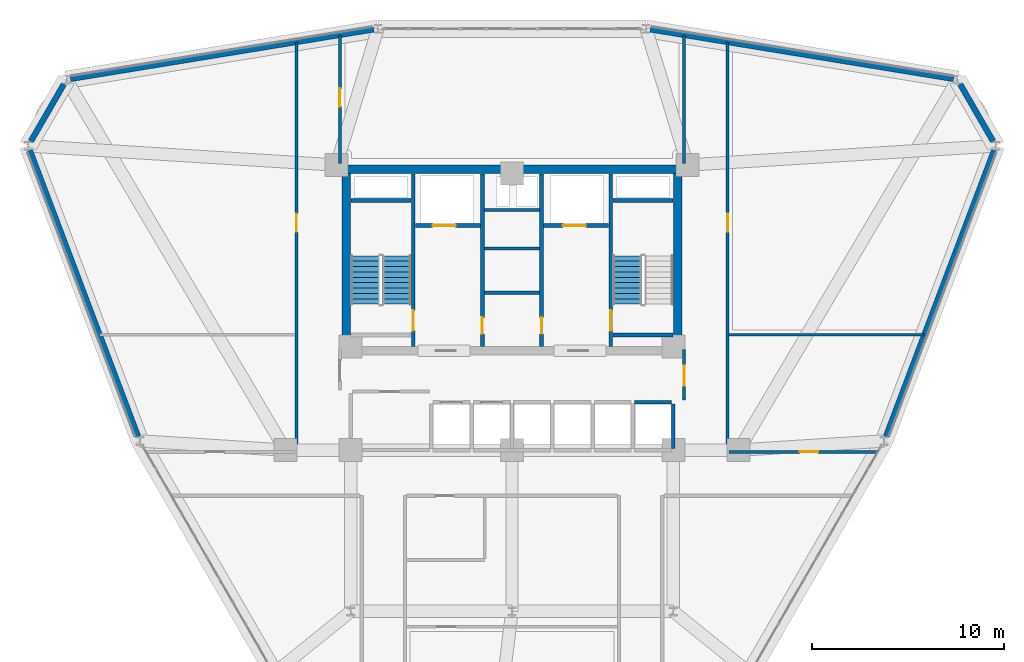
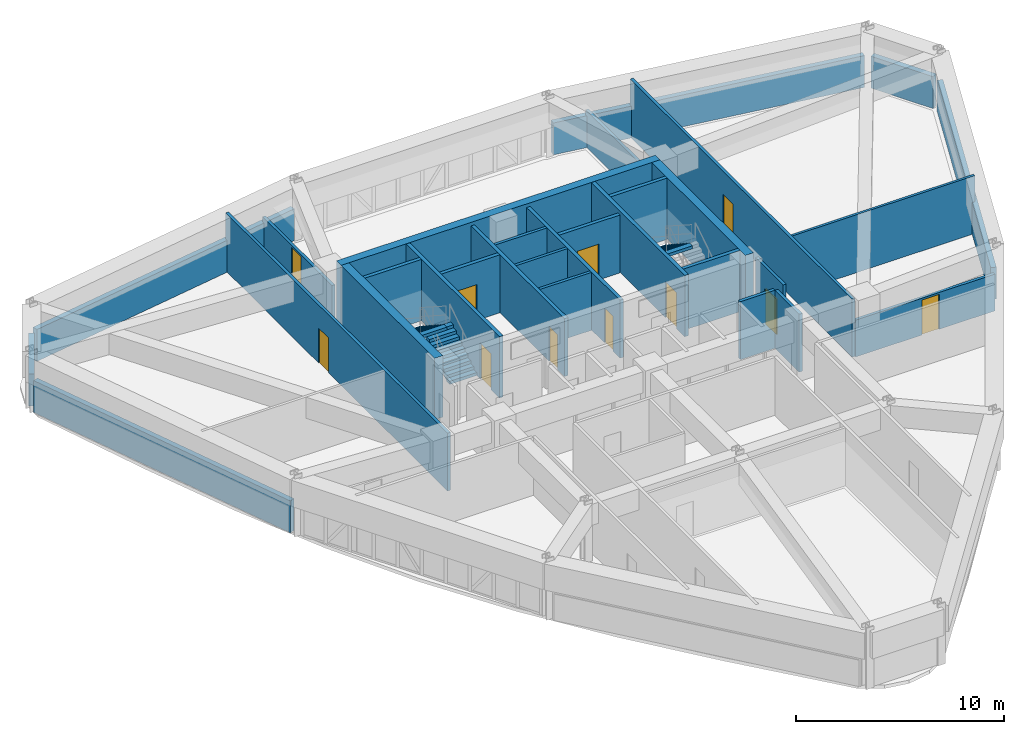
# One storey, part 11 of 15: 30 walls, 11 doors, 3 stair flights, 11 openings, 2 elements without a shape of their own.
"""IFC4 building model written with IfcOpenShell, lengths in metres."""

from ifc_helpers import new_model, si_unit, derived_unit, direction, frame, frame_2d, origin, place, context, subcontext, project, spatial, polyline, rectangle, outline, extrude, material, layer, layer_set, type_object, element, fill, aggregate, save


model = new_model("IFC4")

# Units and contexts
model_context = context("Model", 3, precision=1e-05, world=origin(), true_north=direction((0.0, 1.0)))
body_context = subcontext(model_context, "Body", "Model", "MODEL_VIEW")
ifc_project = project(units=[si_unit("LENGTHUNIT", "METRE"), si_unit("AREAUNIT", "SQUARE_METRE"), si_unit("VOLUMEUNIT", "CUBIC_METRE"), si_unit("PLANEANGLEUNIT", "RADIAN"), si_unit("MASSUNIT", "GRAM", prefix="KILO"), derived_unit("THERMALTRANSMITTANCEUNIT", [(si_unit("POWERUNIT", "WATT"), 1), (si_unit("LENGTHUNIT", "METRE"), -2), (si_unit("THERMODYNAMICTEMPERATUREUNIT", "KELVIN"), -1)])], contexts=[model_context])

# Site, building, storey
site_placement = place(None, origin())
site = spatial("IfcSite", under=ifc_project, at=site_placement, CompositionType="ELEMENT")
building_placement = place(site_placement, origin())
building = spatial("IfcBuilding", under=site, at=building_placement, Name="Korsvarv Bourse and Concert Hall", CompositionType="ELEMENT")
storey_placement = place(building_placement, frame((0.0, 0.0, 113.39990234375)))
storey = spatial("IfcBuildingStorey", under=building, at=storey_placement, Name="L28", CompositionType="ELEMENT", Elevation=113.39990234375)

# Wall, opening, door
ifc_material_1 = material(Name="Concrete C50/60", Category="concrete")
ifc_layer_1 = layer(ifc_material_1, 0.3798828125)
ifc_layer_set_1 = layer_set([ifc_layer_1], Name="Concrete C50/60")
wall_type_1 = type_object("IfcWallType", Name="WL-CORE-380", PredefinedType="SHEAR", material=ifc_layer_set_1)
wall_1_placement = place(storey_placement, frame((30.860107421875, 37.81005859375, 0.0), z_axis=(0.0, 0.0, 1.0), x_axis=(0.0, 1.0, 0.0)))
wall_1 = element("IfcWall", 1, at=wall_1_placement, inside=storey, type_object=wall_type_1, Name="L28 stair shaft structural wall W-L28-ST1-E", PredefinedType="SHEAR", context=body_context, shape_type="SweptSolid", body=[
    extrude(rectangle(XDim=8.97998046875, YDim=0.199951171875, at=frame_2d((4.489990234375, 0.0))), origin(), (0.0, 0.0, 1.0), 3.60009765625),
])
opening_1_placement = place(wall_1_placement, frame((0.820068359375, 0.0, 0.0)))
opening_1 = element("IfcOpeningElement", 2, at=opening_1_placement, cuts=wall_1, Name="Opening D-01", PredefinedType="OPENING", context=body_context, shape_type="SweptSolid", body=[
    extrude(rectangle(XDim=1.050048828125, YDim=2.10009765625, at=frame_2d((0.52490234375, 1.050048828125))), frame((0.0, 0.10986328125, 0.0), z_axis=(0.0, -1.0, 0.0), x_axis=(1.0, 0.0, 0.0)), (0.0, 0.0, 1.0), 0.219970703125),
])
ifc_material_2 = material(Name="Steel S355 fire door", Category="steel")
door_type_1 = type_object("IfcDoorType", Name="DR-FD60", OperationType="NOTDEFINED", PredefinedType="DOOR", material=ifc_material_2)
door_1_placement = place(opening_1_placement, origin())
door_1 = element("IfcDoor", 3, at=door_1_placement, inside=storey, type_object=door_type_1, Name="L28 interior door DR-L28-ST1", OperationType="SINGLE_SWING_RIGHT", OverallHeight=2.10009765625, OverallWidth=1.050048828125, PredefinedType="DOOR", context=body_context, shape_type="SweptSolid", body=[
    extrude(rectangle(XDim=1.050048828125, YDim=2.10009765625, at=frame_2d((0.52490234375, 1.050048828125))), frame((0.0, 0.02490234375, 0.0), z_axis=(0.0, -1.0, 0.0), x_axis=(1.0, 0.0, 0.0)), (0.0, 0.0, 1.0), 0.050048828125),
])
fill(opening_1, door_1)

# Wall
wall_2_placement = place(storey_placement, frame((27.610107421875, 45.39990234375, 0.0), z_axis=(0.0, 0.0, 1.0), x_axis=(1.0, 0.0, 0.0)))
element("IfcWall", 4, at=wall_2_placement, inside=storey, type_object=wall_type_1, Name="L28 stair shaft structural wall W-L28-ST1-N", PredefinedType="SHEAR", context=body_context, shape_type="SweptSolid", body=[
    extrude(rectangle(XDim=3.139892578125, YDim=0.199951171875, at=frame_2d((1.56982421875, 0.0))), origin(), (0.0, 0.0, 1.0), 3.60009765625),
])

# Wall, opening, door
wall_3_placement = place(storey_placement, frame((41.139892578125, 37.81005859375, 0.0), z_axis=(0.0, 0.0, 1.0), x_axis=(0.0, 1.0, 0.0)))
wall_3 = element("IfcWall", 5, at=wall_3_placement, inside=storey, type_object=wall_type_1, Name="L28 stair shaft structural wall W-L28-ST2-W", PredefinedType="SHEAR", context=body_context, shape_type="SweptSolid", body=[
    extrude(rectangle(XDim=8.97998046875, YDim=0.199951171875, at=frame_2d((4.489990234375, 0.0))), origin(), (0.0, 0.0, 1.0), 3.60009765625),
])
opening_2_placement = place(wall_3_placement, frame((0.820068359375, 0.0, 0.0)))
opening_2 = element("IfcOpeningElement", 6, at=opening_2_placement, cuts=wall_3, Name="Opening D-01", PredefinedType="OPENING", context=body_context, shape_type="SweptSolid", body=[
    extrude(rectangle(XDim=1.050048828125, YDim=2.10009765625, at=frame_2d((0.52490234375, 1.050048828125))), frame((0.0, 0.10986328125, 0.0), z_axis=(0.0, -1.0, 0.0), x_axis=(1.0, 0.0, 0.0)), (0.0, 0.0, 1.0), 0.219970703125),
])
door_2_placement = place(opening_2_placement, frame((1.050048828125, 0.0, 0.0), z_axis=(0.0, 0.0, 1.0), x_axis=(-1.0, 0.0, 0.0)))
door_2 = element("IfcDoor", 7, at=door_2_placement, inside=storey, type_object=door_type_1, Name="L28 interior door DR-L28-ST2", OperationType="SINGLE_SWING_LEFT", OverallHeight=2.10009765625, OverallWidth=1.050048828125, PredefinedType="DOOR", context=body_context, shape_type="SweptSolid", body=[
    extrude(rectangle(XDim=1.050048828125, YDim=2.10009765625, at=frame_2d((0.52490234375, 1.050048828125))), frame((0.0, 0.02490234375, 0.0), z_axis=(0.0, -1.0, 0.0), x_axis=(1.0, 0.0, 0.0)), (0.0, 0.0, 1.0), 0.050048828125),
])
fill(opening_2, door_2)

# Walls
for number, where, z_axis, x_axis, name in (
    (8, (41.25, 45.39990234375, 0.0), (0.0, 0.0, 1.0), (1.0, 0.0, 0.0), "L28 stair shaft structural wall W-L28-ST2-N"),
    (9, (41.25, 38.39990234375, 0.0), (0.0, 0.0, 1.0), (1.0, 0.0, 0.0), "L28 stair shaft structural wall W-L28-ST2-S"),
):
    element("IfcWall", number, at=place(storey_placement, frame(where, z_axis=z_axis, x_axis=x_axis)), inside=storey, type_object=wall_type_1, Name=name, PredefinedType="SHEAR", context=body_context, shape_type="SweptSolid", body=[
        extrude(rectangle(XDim=3.139892578125, YDim=0.199951171875, at=frame_2d((1.56982421875, 0.0))), origin(), (0.0, 0.0, 1.0), 3.60009765625),
    ])
ifc_material_3 = material(Name="Concrete C55/67", Category="concrete")
ifc_layer_2 = layer(ifc_material_3, 0.449951171875)
ifc_layer_set_2 = layer_set([ifc_layer_2], Name="Concrete C55/67")
wall_type_2 = type_object("IfcWallType", Name="WL-CORE-450", PredefinedType="SHEAR", material=ifc_layer_set_2)
wall_4_placement = place(storey_placement, frame((27.14990234375, 47.02490234375, 0.0), z_axis=(0.0, 0.0, 1.0), x_axis=(1.0, 0.0, 0.0)))
element("IfcWall", 10, at=wall_4_placement, inside=storey, type_object=wall_type_2, Name="L28 North Core Shear Wall", PredefinedType="SHEAR", context=body_context, shape_type="SweptSolid", body=[
    extrude(rectangle(XDim=17.7001953125, YDim=0.449951171875, at=frame_2d((8.85009765625, 0.0))), origin(), (0.0, 0.0, 1.0), 3.60009765625),
])
for number, where, z_axis, x_axis, name in (
    (11, (27.375, 37.800048828125, 0.0), (0.0, 0.0, 1.0), (0.0, 1.0, 0.0), "L28 West Core Shear Wall"),
    (12, (44.625, 37.800048828125, 0.0), (0.0, 0.0, 1.0), (0.0, 1.0, 0.0), "L28 East Core Shear Wall"),
):
    element("IfcWall", number, at=place(storey_placement, frame(where, z_axis=z_axis, x_axis=x_axis)), inside=storey, type_object=wall_type_2, Name=name, PredefinedType="SHEAR", context=body_context, shape_type="SweptSolid", body=[
        extrude(rectangle(XDim=9.0, YDim=0.449951171875, at=frame_2d((4.5, 0.0))), origin(), (0.0, 0.0, 1.0), 3.60009765625),
    ])
ifc_material_4 = material(Name="Precast concrete C45/55 with terracotta rainscreen", Category="concrete")
ifc_layer_3 = layer(ifc_material_4, 0.300048828125)
ifc_layer_set_3 = layer_set([ifc_layer_3], Name="Precast concrete C45/55 with terracotta rainscreen")
wall_type_3 = type_object("IfcWallType", Name="WL-EXT-TC1", PredefinedType="SOLIDWALL", material=ifc_layer_set_3)
for number, where, z_axis, x_axis, name in (
    (13, (61.060791015625, 48.48388671875, 0.0), (0.0, 0.0, 1.0), (-0.500064626416, 0.86598808849, 0.0), "L28 terracotta exterior wall EW-L28-B01"),
    (14, (12.658447265625, 51.461181640625, 0.0), (0.0, 0.0, 1.0), (-0.500064626416, -0.86598808849, 0.0), "L28 terracotta exterior wall EW-L28-B05"),
):
    element("IfcWall", number, at=place(storey_placement, frame(where, z_axis=z_axis, x_axis=x_axis)), inside=storey, type_object=wall_type_3, Name=name, PredefinedType="SOLIDWALL", context=body_context, shape_type="SweptSolid", body=[
        extrude(rectangle(XDim=3.43798828125, YDim=0.300048828125, at=frame_2d((1.718994140625, 0.0))), origin(), (0.0, 0.0, 1.0), 1.8701171875),
    ])
ifc_material_5 = material(Name="Precast concrete C45/55 with fluted terracotta pier", Category="concrete")
ifc_layer_4 = layer(ifc_material_5, 0.280029296875)
ifc_layer_set_4 = layer_set([ifc_layer_4], Name="Precast concrete C45/55 with fluted terracotta pier")
wall_type_4 = type_object("IfcWallType", Name="WL-EXT-TC2", PredefinedType="SOLIDWALL", material=ifc_layer_set_4)
for number, where, z_axis, x_axis, name in (
    (15, (58.993408203125, 51.728759765625, 0.0), (0.0, 0.0, 1.0), (-0.98690696995, 0.161290522546, 0.0), "L28 terracotta exterior wall EW-L28-B02"),
    (16, (28.798095703125, 54.3095703125, 0.0), (0.0, 0.0, 1.0), (-0.98690696995, -0.161290522546, 0.0), "L28 terracotta exterior wall EW-L28-B04"),
):
    element("IfcWall", number, at=place(storey_placement, frame(where, z_axis=z_axis, x_axis=x_axis)), inside=storey, type_object=wall_type_4, Name=name, PredefinedType="SOLIDWALL", context=body_context, shape_type="SweptSolid", body=[
        extrude(rectangle(XDim=16.0009765625, YDim=0.280029296875, at=frame_2d((8.00048828125, 0.0))), origin(), (0.0, 0.0, 1.0), 1.8701171875),
    ])
for number, where, z_axis, x_axis, name in (
    (17, (10.89306640625, 48.018798828125, 0.0), (0.0, 0.0, 1.0), (0.353771130195, -0.935332019895, 0.0), "L28 terracotta exterior wall EW-L28-B06"),
    (18, (55.46875, 33.112060546875, 0.0), (0.0, 0.0, 1.0), (0.353771130195, 0.935332019895, 0.0), "L28 terracotta exterior wall EW-L28-B12"),
):
    element("IfcWall", number, at=place(storey_placement, frame(where, z_axis=z_axis, x_axis=x_axis)), inside=storey, type_object=wall_type_4, Name=name, PredefinedType="SOLIDWALL", context=body_context, shape_type="SweptSolid", body=[
        extrude(rectangle(XDim=15.937255859375, YDim=0.280029296875, at=frame_2d((7.96875, 0.0))), origin(), (0.0, 0.0, 1.0), 1.8701171875),
    ])

# Wall, opening, door
ifc_material_6 = material(Name="Reinforced concrete blockwork C35/45 fire wall", Category="concrete")
ifc_layer_5 = layer(ifc_material_6, 0.199951171875)
ifc_layer_set_5 = layer_set([ifc_layer_5], Name="Reinforced concrete blockwork C35/45 fire wall")
wall_type_5 = type_object("IfcWallType", Name="WL-INT-EI120", PredefinedType="PARTITIONING", material=ifc_layer_set_5)
wall_5_placement = place(storey_placement, frame((30.969970703125, 44.10009765625, 0.0), z_axis=(0.0, 0.0, 1.0), x_axis=(1.0, 0.0, 0.0)))
wall_5 = element("IfcWall", 19, at=wall_5_placement, inside=storey, type_object=wall_type_5, Name="L28 interior partition wall W-L28-FF1-S", PredefinedType="PARTITIONING", context=body_context, shape_type="SweptSolid", body=[
    extrude(rectangle(XDim=3.380126953125, YDim=0.199951171875, at=frame_2d((1.68994140625, 0.0))), origin(), (0.0, 0.0, 1.0), 3.400146484375),
])
opening_3_placement = place(wall_5_placement, frame((0.89990234375, 0.0, 0.0)))
opening_3 = element("IfcOpeningElement", 20, at=opening_3_placement, cuts=wall_5, Name="Opening LD-1", PredefinedType="OPENING", context=body_context, shape_type="SweptSolid", body=[
    extrude(rectangle(XDim=1.199951171875, YDim=2.10009765625, at=frame_2d((0.60009765625, 1.050048828125))), frame((0.0, 0.10986328125, 0.0), z_axis=(0.0, -1.0, 0.0), x_axis=(1.0, 0.0, 0.0)), (0.0, 0.0, 1.0), 0.219970703125),
])
ifc_material_7 = material(Name="Stainless Steel S355 firefighting lift landing door", Category="steel")
door_type_2 = type_object("IfcDoorType", Name="DR-LIFT-FF", OperationType="DOUBLE_DOOR_SLIDING", PredefinedType="DOOR", material=ifc_material_7)
door_3_placement = place(opening_3_placement, origin())
door_3 = element("IfcDoor", 21, at=door_3_placement, inside=storey, type_object=door_type_2, Name="L28 lift sliding landing door LD-L28-FF1", OperationType="DOUBLE_DOOR_SLIDING", OverallHeight=2.10009765625, OverallWidth=1.199951171875, PredefinedType="DOOR", context=body_context, shape_type="SweptSolid", body=[
    extrude(rectangle(XDim=1.199951171875, YDim=2.10009765625, at=frame_2d((0.60009765625, 1.050048828125))), frame((0.0, 0.02490234375, 0.0), z_axis=(0.0, -1.0, 0.0), x_axis=(1.0, 0.0, 0.0)), (0.0, 0.0, 1.0), 0.050048828125),
])
fill(opening_3, door_3)

wall_6_placement = place(storey_placement, frame((37.64990234375, 44.10009765625, 0.0), z_axis=(0.0, 0.0, 1.0), x_axis=(1.0, 0.0, 0.0)))
wall_6 = element("IfcWall", 22, at=wall_6_placement, inside=storey, type_object=wall_type_5, Name="L28 interior partition wall W-L28-FF2-S", PredefinedType="PARTITIONING", context=body_context, shape_type="SweptSolid", body=[
    extrude(rectangle(XDim=3.380126953125, YDim=0.199951171875, at=frame_2d((1.68994140625, 0.0))), origin(), (0.0, 0.0, 1.0), 3.400146484375),
])
opening_4_placement = place(wall_6_placement, frame((1.0, 0.0, 0.0)))
opening_4 = element("IfcOpeningElement", 23, at=opening_4_placement, cuts=wall_6, Name="Opening LD-1", PredefinedType="OPENING", context=body_context, shape_type="SweptSolid", body=[
    extrude(rectangle(XDim=1.199951171875, YDim=2.10009765625, at=frame_2d((0.60009765625, 1.050048828125))), frame((0.0, 0.10986328125, 0.0), z_axis=(0.0, -1.0, 0.0), x_axis=(1.0, 0.0, 0.0)), (0.0, 0.0, 1.0), 0.219970703125),
])
door_4_placement = place(opening_4_placement, origin())
door_4 = element("IfcDoor", 24, at=door_4_placement, inside=storey, type_object=door_type_2, Name="L28 lift sliding landing door LD-L28-FF2", OperationType="DOUBLE_DOOR_SLIDING", OverallHeight=2.10009765625, OverallWidth=1.199951171875, PredefinedType="DOOR", context=body_context, shape_type="SweptSolid", body=[
    extrude(rectangle(XDim=1.199951171875, YDim=2.10009765625, at=frame_2d((0.60009765625, 1.050048828125))), frame((0.0, 0.02490234375, 0.0), z_axis=(0.0, -1.0, 0.0), x_axis=(1.0, 0.0, 0.0)), (0.0, 0.0, 1.0), 0.050048828125),
])
fill(opening_4, door_4)

wall_7_placement = place(storey_placement, frame((34.4599609375, 37.81005859375, 0.0), z_axis=(0.0, 0.0, 1.0), x_axis=(0.0, 1.0, 0.0)))
wall_7 = element("IfcWall", 25, at=wall_7_placement, inside=storey, type_object=wall_type_5, Name="L28 interior partition wall W-L28-CSB-W", PredefinedType="PARTITIONING", context=body_context, shape_type="SweptSolid", body=[
    extrude(rectangle(XDim=8.97998046875, YDim=0.199951171875, at=frame_2d((4.489990234375, 0.0))), origin(), (0.0, 0.0, 1.0), 3.400146484375),
])
opening_5_placement = place(wall_7_placement, frame((0.64990234375, 0.0, 0.0)))
opening_5 = element("IfcOpeningElement", 26, at=opening_5_placement, cuts=wall_7, Name="Opening D-05", PredefinedType="OPENING", context=body_context, shape_type="SweptSolid", body=[
    extrude(rectangle(XDim=0.85009765625, YDim=2.050048828125, at=frame_2d((0.425048828125, 1.02490234375))), frame((0.0, 0.10986328125, 0.0), z_axis=(0.0, -1.0, 0.0), x_axis=(1.0, 0.0, 0.0)), (0.0, 0.0, 1.0), 0.219970703125),
])
door_type_3 = type_object("IfcDoorType", Name="DR-FD60-850X2050", OperationType="NOTDEFINED", PredefinedType="DOOR", material=ifc_material_2)
door_5_placement = place(opening_5_placement, frame((0.85009765625, 0.0, 0.0), z_axis=(0.0, 0.0, 1.0), x_axis=(-1.0, 0.0, 0.0)))
door_5 = element("IfcDoor", 27, at=door_5_placement, inside=storey, type_object=door_type_3, Name="L28 interior door DR-L28-CSB1", OperationType="SINGLE_SWING_RIGHT", OverallHeight=2.050048828125, OverallWidth=0.85009765625, PredefinedType="DOOR", context=body_context, shape_type="SweptSolid", body=[
    extrude(rectangle(XDim=0.85009765625, YDim=2.050048828125, at=frame_2d((0.425048828125, 1.02490234375))), frame((0.0, 0.02490234375, 0.0), z_axis=(0.0, -1.0, 0.0), x_axis=(1.0, 0.0, 0.0)), (0.0, 0.0, 1.0), 0.050048828125),
])
fill(opening_5, door_5)

wall_8_placement = place(storey_placement, frame((37.5400390625, 37.81005859375, 0.0), z_axis=(0.0, 0.0, 1.0), x_axis=(0.0, 1.0, 0.0)))
wall_8 = element("IfcWall", 28, at=wall_8_placement, inside=storey, type_object=wall_type_5, Name="L28 interior partition wall W-L28-CSB-E", PredefinedType="PARTITIONING", context=body_context, shape_type="SweptSolid", body=[
    extrude(rectangle(XDim=8.97998046875, YDim=0.199951171875, at=frame_2d((4.489990234375, 0.0))), origin(), (0.0, 0.0, 1.0), 3.400146484375),
])
opening_6_placement = place(wall_8_placement, frame((0.64990234375, 0.0, 0.0)))
opening_6 = element("IfcOpeningElement", 29, at=opening_6_placement, cuts=wall_8, Name="Opening D-05", PredefinedType="OPENING", context=body_context, shape_type="SweptSolid", body=[
    extrude(rectangle(XDim=0.85009765625, YDim=2.050048828125, at=frame_2d((0.425048828125, 1.02490234375))), frame((0.0, 0.10986328125, 0.0), z_axis=(0.0, -1.0, 0.0), x_axis=(1.0, 0.0, 0.0)), (0.0, 0.0, 1.0), 0.219970703125),
])
door_6_placement = place(opening_6_placement, origin())
door_6 = element("IfcDoor", 30, at=door_6_placement, inside=storey, type_object=door_type_3, Name="L28 interior door DR-L28-CSB2", OperationType="SINGLE_SWING_LEFT", OverallHeight=2.050048828125, OverallWidth=0.85009765625, PredefinedType="DOOR", context=body_context, shape_type="SweptSolid", body=[
    extrude(rectangle(XDim=0.85009765625, YDim=2.050048828125, at=frame_2d((0.425048828125, 1.02490234375))), frame((0.0, 0.02490234375, 0.0), z_axis=(0.0, -1.0, 0.0), x_axis=(1.0, 0.0, 0.0)), (0.0, 0.0, 1.0), 0.050048828125),
])
fill(opening_6, door_6)

# Walls
ifc_material_8 = material(Name="Double-stud fire-rated acoustic partition", Category="gypsum")
ifc_layer_6 = layer(ifc_material_8, 0.159912109375)
ifc_layer_set_6 = layer_set([ifc_layer_6], Name="Double-stud fire-rated acoustic partition")
wall_type_6 = type_object("IfcWallType", Name="WL-INT-EI60", PredefinedType="PARTITIONING", material=ifc_layer_set_6)
for number, where, z_axis, x_axis, name in (
    (31, (34.570068359375, 40.60009765625, 0.0), (0.0, 0.0, 1.0), (1.0, 0.0, 0.0), "L28 interior partition wall W-L28-K1"),
    (32, (34.570068359375, 42.89990234375, 0.0), (0.0, 0.0, 1.0), (1.0, 0.0, 0.0), "L28 interior partition wall W-L28-K2"),
    (33, (34.570068359375, 44.89990234375, 0.0), (0.0, 0.0, 1.0), (1.0, 0.0, 0.0), "L28 interior partition wall W-L28-K3"),
):
    element("IfcWall", number, at=place(storey_placement, frame(where, z_axis=z_axis, x_axis=x_axis)), inside=storey, type_object=wall_type_6, Name=name, PredefinedType="PARTITIONING", context=body_context, shape_type="SweptSolid", body=[
        extrude(rectangle(XDim=2.85986328125, YDim=0.159912109375, at=frame_2d((1.429931640625, 0.0))), origin(), (0.0, 0.0, 1.0), 3.400146484375),
    ])

# Wall, opening, door
wall_9_placement = place(storey_placement, frame((44.9599609375, 35.0, 0.0), z_axis=(0.0, 0.0, 1.0), x_axis=(0.0, 1.0, 0.0)))
wall_9 = element("IfcWall", 34, at=wall_9_placement, inside=storey, type_object=wall_type_6, Name="L28 interior partition wall W-L28-LOB-E", PredefinedType="PARTITIONING", context=body_context, shape_type="SweptSolid", body=[
    extrude(rectangle(XDim=2.64990234375, YDim=0.159912109375, at=frame_2d((1.324951171875, 0.0))), origin(), (0.0, 0.0, 1.0), 3.400146484375),
])
opening_7_placement = place(wall_9_placement, frame((0.75, 0.0, 0.0)))
opening_7 = element("IfcOpeningElement", 35, at=opening_7_placement, cuts=wall_9, Name="Opening D-01", PredefinedType="OPENING", context=body_context, shape_type="SweptSolid", body=[
    extrude(rectangle(XDim=1.050048828125, YDim=2.10009765625, at=frame_2d((0.52490234375, 1.050048828125))), frame((0.0, 0.08984375, 0.0), z_axis=(0.0, -1.0, 0.0), x_axis=(1.0, 0.0, 0.0)), (0.0, 0.0, 1.0), 0.179931640625),
])
door_7_placement = place(opening_7_placement, origin())
door_7 = element("IfcDoor", 36, at=door_7_placement, inside=storey, type_object=door_type_1, Name="L28 interior door DR-L28-LOBE", OperationType="SINGLE_SWING_RIGHT", OverallHeight=2.10009765625, OverallWidth=1.050048828125, PredefinedType="DOOR", context=body_context, shape_type="SweptSolid", body=[
    extrude(rectangle(XDim=1.050048828125, YDim=2.10009765625, at=frame_2d((0.52490234375, 1.050048828125))), frame((0.0, 0.02490234375, 0.0), z_axis=(0.0, -1.0, 0.0), x_axis=(1.0, 0.0, 0.0)), (0.0, 0.0, 1.0), 0.050048828125),
])
fill(opening_7, door_7)

wall_10_placement = place(storey_placement, frame((47.22509765625, 32.31005859375, 0.0), z_axis=(0.0, 0.0, 1.0), x_axis=(0.0, 1.0, 0.0)))
wall_10 = element("IfcWall", 37, at=wall_10_placement, inside=storey, type_object=wall_type_6, Name="L28 interior partition wall W-L28-TCOR-01", PredefinedType="PARTITIONING", context=body_context, shape_type="SweptSolid", body=[
    extrude(rectangle(XDim=21.322021484375, YDim=0.159912109375, at=frame_2d((10.6611328125, 0.0))), origin(), (0.0, 0.0, 1.0), 3.400146484375),
])
opening_8_placement = place(wall_10_placement, frame((11.45703125, 0.0, 0.0)))
opening_8 = element("IfcOpeningElement", 38, at=opening_8_placement, cuts=wall_10, Name="Opening D-02", PredefinedType="OPENING", context=body_context, shape_type="SweptSolid", body=[
    extrude(rectangle(XDim=0.949951171875, YDim=2.050048828125, at=frame_2d((0.47509765625, 1.02490234375))), frame((0.0, 0.08984375, 0.0), z_axis=(0.0, -1.0, 0.0), x_axis=(1.0, 0.0, 0.0)), (0.0, 0.0, 1.0), 0.179931640625),
])
ifc_material_9 = material(Name="Timber and steel acoustic fire door", Category="wood")
door_type_4 = type_object("IfcDoorType", Name="DR-FD30", OperationType="NOTDEFINED", PredefinedType="DOOR", material=ifc_material_9)
door_8_placement = place(opening_8_placement, origin())
door_8 = element("IfcDoor", 39, at=door_8_placement, inside=storey, type_object=door_type_4, Name="L28 interior door DR-L28-TCOR-REL2", OperationType="SINGLE_SWING_LEFT", OverallHeight=2.050048828125, OverallWidth=0.949951171875, PredefinedType="DOOR", context=body_context, shape_type="SweptSolid", body=[
    extrude(rectangle(XDim=0.949951171875, YDim=2.050048828125, at=frame_2d((0.47509765625, 1.02490234375))), frame((0.0, 0.02490234375, 0.0), z_axis=(0.0, -1.0, 0.0), x_axis=(1.0, 0.0, 0.0)), (0.0, 0.0, 1.0), 0.050048828125),
])
fill(opening_8, door_8)

wall_11_placement = place(storey_placement, frame((24.77490234375, 32.31005859375, 0.0), z_axis=(0.0, 0.0, 1.0), x_axis=(0.0, 1.0, 0.0)))
wall_11 = element("IfcWall", 40, at=wall_11_placement, inside=storey, type_object=wall_type_6, Name="L28 interior partition wall W-L28-TCOR-02", PredefinedType="PARTITIONING", context=body_context, shape_type="SweptSolid", body=[
    extrude(rectangle(XDim=21.322021484375, YDim=0.159912109375, at=frame_2d((10.6611328125, 0.0))), origin(), (0.0, 0.0, 1.0), 3.400146484375),
])
opening_9_placement = place(wall_11_placement, frame((11.45703125, 0.0, 0.0)))
opening_9 = element("IfcOpeningElement", 41, at=opening_9_placement, cuts=wall_11, Name="Opening D-02", PredefinedType="OPENING", context=body_context, shape_type="SweptSolid", body=[
    extrude(rectangle(XDim=0.949951171875, YDim=2.050048828125, at=frame_2d((0.47509765625, 1.02490234375))), frame((0.0, 0.08984375, 0.0), z_axis=(0.0, -1.0, 0.0), x_axis=(1.0, 0.0, 0.0)), (0.0, 0.0, 1.0), 0.179931640625),
])
door_9_placement = place(opening_9_placement, origin())
door_9 = element("IfcDoor", 42, at=door_9_placement, inside=storey, type_object=door_type_4, Name="L28 interior door DR-L28-TCOR-CHG9", OperationType="SINGLE_SWING_RIGHT", OverallHeight=2.050048828125, OverallWidth=0.949951171875, PredefinedType="DOOR", context=body_context, shape_type="SweptSolid", body=[
    extrude(rectangle(XDim=0.949951171875, YDim=2.050048828125, at=frame_2d((0.47509765625, 1.02490234375))), frame((0.0, 0.02490234375, 0.0), z_axis=(0.0, -1.0, 0.0), x_axis=(1.0, 0.0, 0.0)), (0.0, 0.0, 1.0), 0.050048828125),
])
fill(opening_9, door_9)

wall_12_placement = place(storey_placement, frame((47.306884765625, 32.31494140625, 0.0), z_axis=(0.0, 0.0, 1.0), x_axis=(1.0, 0.0, 0.0)))
wall_12 = element("IfcWall", 43, at=wall_12_placement, inside=storey, type_object=wall_type_6, Name="L28 interior partition wall W-L28-TCOR-11", PredefinedType="PARTITIONING", context=body_context, shape_type="SweptSolid", body=[
    extrude(rectangle(XDim=7.72802734375, YDim=0.159912109375, at=frame_2d((3.864013671875, 0.0))), origin(), (0.0, 0.0, 1.0), 2.16015625),
])
opening_10_placement = place(wall_12_placement, frame((3.69091796875, 0.0, 0.0)))
opening_10 = element("IfcOpeningElement", 44, at=opening_10_placement, cuts=wall_12, Name="Opening D-02", PredefinedType="OPENING", context=body_context, shape_type="SweptSolid", body=[
    extrude(rectangle(XDim=0.949951171875, YDim=2.050048828125, at=frame_2d((0.47509765625, 1.02490234375))), frame((0.0, 0.08984375, 0.0), z_axis=(0.0, -1.0, 0.0), x_axis=(1.0, 0.0, 0.0)), (0.0, 0.0, 1.0), 0.179931640625),
])
door_10_placement = place(opening_10_placement, origin())
door_10 = element("IfcDoor", 45, at=door_10_placement, inside=storey, type_object=door_type_4, Name="L28 interior door DR-L28-TCOR-JUI1", OperationType="SINGLE_SWING_RIGHT", OverallHeight=2.050048828125, OverallWidth=0.949951171875, PredefinedType="DOOR", context=body_context, shape_type="SweptSolid", body=[
    extrude(rectangle(XDim=0.949951171875, YDim=2.050048828125, at=frame_2d((0.47509765625, 1.02490234375))), frame((0.0, 0.02490234375, 0.0), z_axis=(0.0, -1.0, 0.0), x_axis=(1.0, 0.0, 0.0)), (0.0, 0.0, 1.0), 0.050048828125),
])
fill(opening_10, door_10)

wall_13_placement = place(storey_placement, frame((27.034912109375, 47.340087890625, 0.0), z_axis=(0.0, 0.0, 1.0), x_axis=(0.0, 1.0, 0.0)))
wall_13 = element("IfcWall", 46, at=wall_13_placement, inside=storey, type_object=wall_type_6, Name="L28 interior partition wall W-L28-TCOR-12", PredefinedType="PARTITIONING", context=body_context, shape_type="SweptSolid", body=[
    extrude(rectangle(XDim=6.661376953125, YDim=0.159912109375, at=frame_2d((3.33056640625, 0.0))), origin(), (0.0, 0.0, 1.0), 2.16015625),
])
opening_11_placement = place(wall_13_placement, frame((2.957275390625, 0.0, 0.0)))
opening_11 = element("IfcOpeningElement", 47, at=opening_11_placement, cuts=wall_13, Name="Opening D-02", PredefinedType="OPENING", context=body_context, shape_type="SweptSolid", body=[
    extrude(rectangle(XDim=0.949951171875, YDim=2.050048828125, at=frame_2d((0.47509765625, 1.02490234375))), frame((0.0, 0.08984375, 0.0), z_axis=(0.0, -1.0, 0.0), x_axis=(1.0, 0.0, 0.0)), (0.0, 0.0, 1.0), 0.179931640625),
])
door_11_placement = place(opening_11_placement, origin())
door_11 = element("IfcDoor", 48, at=door_11_placement, inside=storey, type_object=door_type_4, Name="L28 interior door DR-L28-TCOR-RM44", OperationType="SINGLE_SWING_LEFT", OverallHeight=2.050048828125, OverallWidth=0.949951171875, PredefinedType="DOOR", context=body_context, shape_type="SweptSolid", body=[
    extrude(rectangle(XDim=0.949951171875, YDim=2.050048828125, at=frame_2d((0.47509765625, 1.02490234375))), frame((0.0, 0.02490234375, 0.0), z_axis=(0.0, -1.0, 0.0), x_axis=(1.0, 0.0, 0.0)), (0.0, 0.0, 1.0), 0.050048828125),
])
fill(opening_11, door_11)

# Walls
wall_14_placement = place(storey_placement, frame((44.965087890625, 47.340087890625, 0.0), z_axis=(0.0, 0.0, 1.0), x_axis=(0.0, 1.0, 0.0)))
element("IfcWall", 49, at=wall_14_placement, inside=storey, type_object=wall_type_6, Name="L28 interior partition wall W-L28-TCOR-13", PredefinedType="PARTITIONING", context=body_context, shape_type="SweptSolid", body=[
    extrude(rectangle(XDim=6.661376953125, YDim=0.159912109375, at=frame_2d((3.33056640625, 0.0))), origin(), (0.0, 0.0, 1.0), 2.16015625),
])
ifc_material_10 = material(Name="Gypsum-clad autoclaved concrete shaft wall C30/37", Category="concrete")
ifc_layer_7 = layer(ifc_material_10, 0.179931640625)
ifc_layer_set_7 = layer_set([ifc_layer_7], Name="Gypsum-clad autoclaved concrete shaft wall C30/37")
wall_type_7 = type_object("IfcWallType", Name="WL-INT-EI90", PredefinedType="PARTITIONING", material=ifc_layer_set_7)
wall_15_placement = place(storey_placement, frame((42.389892578125, 34.89990234375, 0.0), z_axis=(0.0, 0.0, 1.0), x_axis=(1.0, 0.0, 0.0)))
element("IfcWall", 50, at=wall_15_placement, inside=storey, type_object=wall_type_7, Name="L28 interior partition wall W-L28-SHFN-PO2", PredefinedType="PARTITIONING", context=body_context, shape_type="SweptSolid", body=[
    extrude(rectangle(XDim=1.920166015625, YDim=0.179931640625, at=frame_2d((0.9599609375, 0.0))), origin(), (0.0, 0.0, 1.0), 3.400146484375),
])
wall_16_placement = place(storey_placement, frame((44.39990234375, 32.489990234375, 0.0), z_axis=(0.0, 0.0, 1.0), x_axis=(0.0, 1.0, 0.0)))
element("IfcWall", 51, at=wall_16_placement, inside=storey, type_object=wall_type_7, Name="L28 interior partition wall W-L28-SHFE-END", PredefinedType="PARTITIONING", context=body_context, shape_type="SweptSolid", body=[
    extrude(rectangle(XDim=2.320068359375, YDim=0.179931640625, at=frame_2d((1.16015625, 0.0))), origin(), (0.0, 0.0, 1.0), 3.400146484375),
])
ifc_material_11 = material(Name="Insulated steel-stud office acoustic partition", Category="gypsum")
ifc_layer_8 = layer(ifc_material_11, 0.139892578125)
ifc_layer_set_8 = layer_set([ifc_layer_8], Name="Insulated steel-stud office acoustic partition")
wall_type_8 = type_object("IfcWallType", Name="WL-INT-P1", PredefinedType="PARTITIONING", material=ifc_layer_set_8)
wall_17_placement = place(storey_placement, frame((47.306884765625, 38.405029296875, 0.0), z_axis=(0.0, 0.0, 1.0), x_axis=(1.0, 0.0, 0.0)))
element("IfcWall", 52, at=wall_17_placement, inside=storey, type_object=wall_type_8, Name="L28 interior partition wall W-L28-TCOR-16", PredefinedType="PARTITIONING", context=body_context, shape_type="SweptSolid", body=[
    extrude(rectangle(XDim=10.143798828125, YDim=0.139892578125, at=frame_2d((5.07177734375, 0.0))), origin(), (0.0, 0.0, 1.0), 3.400146484375),
])

# Stair, stair flights
ifc_material_12 = material(Name="Precast concrete C45/55", Category="concrete")
stair_type = type_object("IfcStairType", Name="STR-TYPE-04", PredefinedType="HALF_TURN_STAIR", material=ifc_material_12)
stair_1_placement = place(storey_placement, origin())
stair_1 = element("IfcStair", 53, at=stair_1_placement, inside=storey, type_object=stair_type, Name="L28 Tower West Exit Stair ST-T1", PredefinedType="HALF_TURN_STAIR")
stair_flight_type = type_object("IfcStairFlightType", Name="FLT-TYPE-04", PredefinedType="STRAIGHT", material=ifc_material_12)
stair_flight_1_placement = place(storey_placement, frame((30.010009765625, 40.0, 0.0), z_axis=(0.0, 0.0, 1.0), x_axis=(0.0, 1.0, 0.0)))
stair_flight_1 = element("IfcStairFlight", 54, at=stair_flight_1_placement, type_object=stair_flight_type, Name="ST-T1 flight 1", NumberOfRisers=10, NumberOfTreads=9, PredefinedType="STRAIGHT", RiserHeight=0.18, TreadLength=0.28, context=body_context, shape_type="SweptSolid", body=[
    extrude(outline(polyline([(0.0, 0.0), (0.0, 0.179931640625), (0.280029296875, 0.179931640625), (0.280029296875, 0.360107421875), (0.56005859375, 0.360107421875), (0.56005859375, 0.5400390625), (0.840087890625, 0.5400390625), (0.840087890625, 0.719970703125), (1.1201171875, 0.719970703125), (1.1201171875, 0.89990234375), (1.39990234375, 0.89990234375), (1.39990234375, 1.080078125), (1.679931640625, 1.080078125), (1.679931640625, 1.260009765625), (1.9599609375, 1.260009765625), (1.9599609375, 1.43994140625), (2.239990234375, 1.43994140625), (2.239990234375, 1.6201171875), (2.52001953125, 1.6201171875), (2.52001953125, 1.800048828125), (2.52001953125, 1.44189453125), (0.277099609375, 0.0), (0.0, 0.0)])), frame((0.0, 0.75, 0.0), z_axis=(0.0, -1.0, 0.0), x_axis=(1.0, 0.0, 0.0)), (0.0, 0.0, 1.0), 1.5),
])
stair_flight_2_placement = place(storey_placement, frame((28.35009765625, 42.52001953125, 1.800048828125), z_axis=(0.0, 0.0, 1.0), x_axis=(0.0, -1.0, 0.0)))
stair_flight_2 = element("IfcStairFlight", 55, at=stair_flight_2_placement, type_object=stair_flight_type, Name="ST-T1 flight 2", NumberOfRisers=10, NumberOfTreads=9, PredefinedType="STRAIGHT", RiserHeight=0.18, TreadLength=0.28, context=body_context, shape_type="SweptSolid", body=[
    extrude(outline(polyline([(0.0, 0.0), (0.0, 0.179931640625), (0.280029296875, 0.179931640625), (0.280029296875, 0.360107421875), (0.56005859375, 0.360107421875), (0.56005859375, 0.5400390625), (0.840087890625, 0.5400390625), (0.840087890625, 0.719970703125), (1.1201171875, 0.719970703125), (1.1201171875, 0.89990234375), (1.39990234375, 0.89990234375), (1.39990234375, 1.080078125), (1.679931640625, 1.080078125), (1.679931640625, 1.260009765625), (1.9599609375, 1.260009765625), (1.9599609375, 1.43994140625), (2.239990234375, 1.43994140625), (2.239990234375, 1.6201171875), (2.52001953125, 1.6201171875), (2.52001953125, 1.800048828125), (2.52001953125, 1.44189453125), (0.277099609375, 0.0), (0.0, 0.0)])), frame((0.0, 0.75, 0.0), z_axis=(0.0, -1.0, 0.0), x_axis=(1.0, 0.0, 0.0)), (0.0, 0.0, 1.0), 1.5),
])
aggregate(stair_1, [stair_flight_1, stair_flight_2])

# Stair, stair flight
stair_2_placement = place(storey_placement, origin())
stair_2 = element("IfcStair", 56, at=stair_2_placement, inside=storey, type_object=stair_type, Name="L28 Tower East Exit Stair ST-T2", PredefinedType="HALF_TURN_STAIR")
stair_flight_3_placement = place(storey_placement, frame((41.989990234375, 42.52001953125, 1.800048828125), z_axis=(0.0, 0.0, 1.0), x_axis=(0.0, -1.0, 0.0)))
stair_flight_3 = element("IfcStairFlight", 57, at=stair_flight_3_placement, type_object=stair_flight_type, Name="ST-T2 flight 2", NumberOfRisers=10, NumberOfTreads=9, PredefinedType="STRAIGHT", RiserHeight=0.18, TreadLength=0.28, context=body_context, shape_type="SweptSolid", body=[
    extrude(outline(polyline([(0.0, 0.0), (0.0, 0.179931640625), (0.280029296875, 0.179931640625), (0.280029296875, 0.360107421875), (0.56005859375, 0.360107421875), (0.56005859375, 0.5400390625), (0.840087890625, 0.5400390625), (0.840087890625, 0.719970703125), (1.1201171875, 0.719970703125), (1.1201171875, 0.89990234375), (1.39990234375, 0.89990234375), (1.39990234375, 1.080078125), (1.679931640625, 1.080078125), (1.679931640625, 1.260009765625), (1.9599609375, 1.260009765625), (1.9599609375, 1.43994140625), (2.239990234375, 1.43994140625), (2.239990234375, 1.6201171875), (2.52001953125, 1.6201171875), (2.52001953125, 1.800048828125), (2.52001953125, 1.44189453125), (0.277099609375, 0.0), (0.0, 0.0)])), frame((0.0, 0.75, 0.0), z_axis=(0.0, -1.0, 0.0), x_axis=(1.0, 0.0, 0.0)), (0.0, 0.0, 1.0), 1.5),
])
aggregate(stair_2, [stair_flight_3])

save(model, "model.ifc")
